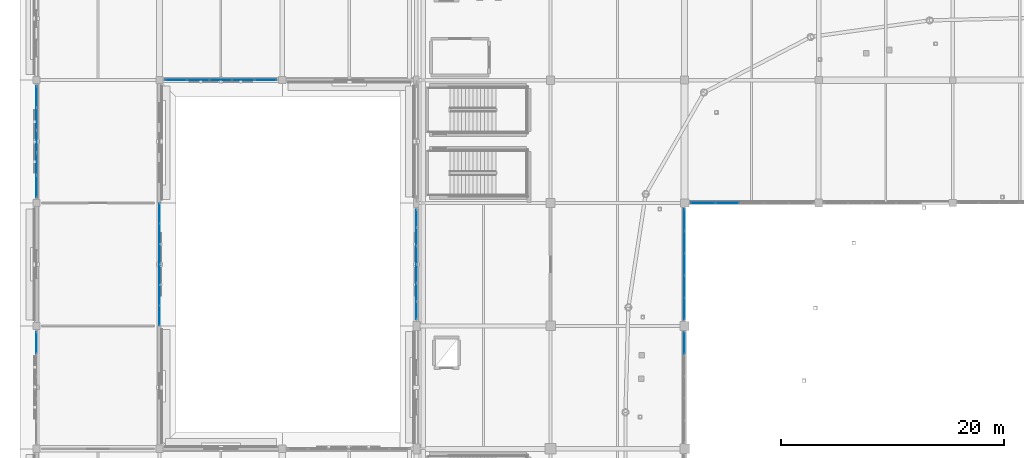
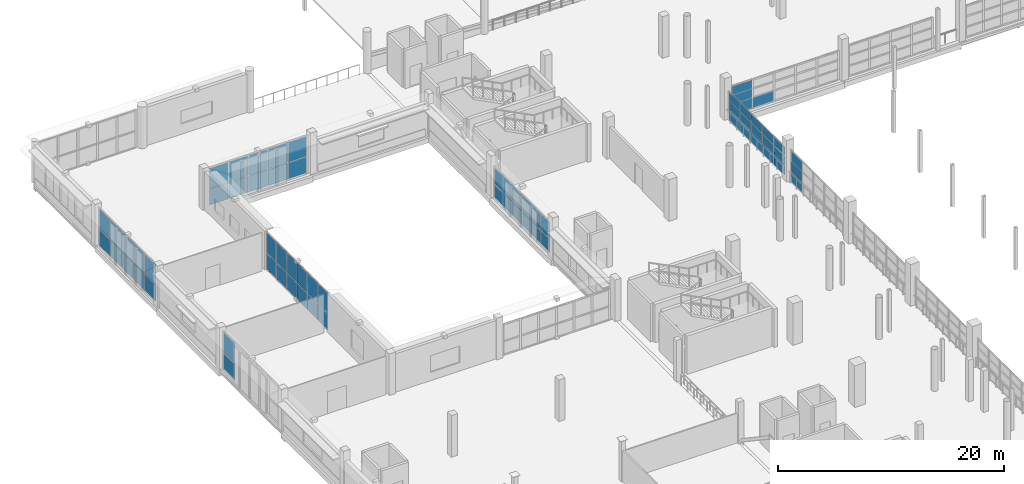
# One storey, part 69 of 118: 68 plates, 8 elements without a shape of their own.
"""IFC4 building model written with IfcOpenShell, lengths in metres."""

from ifc_helpers import new_model, si_unit, direction, frame, origin, origin_2d, place, context, subcontext, project, spatial, rectangle, extrude, material, layer, layer_set, type_object, element, aggregate, save


model = new_model("IFC4")

# Units and contexts
model_context = context("Model", 3, precision=1e-05, world=origin(), true_north=direction((0.0, 1.0)))
body_context = subcontext(model_context, "Body", "Model", "MODEL_VIEW")
ifc_project = project(units=[si_unit("LENGTHUNIT", "METRE"), si_unit("AREAUNIT", "SQUARE_METRE"), si_unit("VOLUMEUNIT", "CUBIC_METRE"), si_unit("PLANEANGLEUNIT", "RADIAN"), si_unit("MASSUNIT", "GRAM", prefix="KILO")], contexts=[model_context])

# Site, building, storey
site_placement = place(None, origin())
site = spatial("IfcSite", under=ifc_project, at=site_placement, CompositionType="ELEMENT")
building_placement = place(site_placement, origin())
building = spatial("IfcBuilding", under=site, at=building_placement, Name="Luwafu Chhajja Arena", CompositionType="ELEMENT")
storey_placement = place(building_placement, frame((0.0, 0.0, 10.199951171875)))
storey = spatial("IfcBuildingStorey", under=building, at=storey_placement, Name="L02", CompositionType="ELEMENT", Elevation=10.199951171875)

# Curtain wall, plates
ifc_material_1 = material(Name="Anodised bronze aluminium", Category="aluminium")
curtain_wall_type_1 = type_object("IfcCurtainWallType", Name="Media Ribbon Curtain Wall", PredefinedType="USERDEFINED", material=ifc_material_1)
curtain_wall_1_placement = place(storey_placement, origin())
curtain_wall_1 = element("IfcCurtainWall", 1, at=curtain_wall_1_placement, inside=storey, type_object=curtain_wall_type_1, Name="L02 Curtain Wall CWG-L02-H01_08", ObjectType="CURTAIN WALL", PredefinedType="USERDEFINED")
ifc_material_2 = material(Name="Solar-control laminated glass", Category="glass")
ifc_layer_1 = layer(ifc_material_2, 0.035888671875, Name="Solar-control laminated glass")
ifc_layer_set_1 = layer_set([ifc_layer_1], Name="Solar-control laminated glass")
plate_type_1 = type_object("IfcPlateType", Name="Acoustic Broadcast Double Glazed CW Panel 36", PredefinedType="CURTAIN_PANEL", material=ifc_layer_set_1)
plate_1_placement = place(storey_placement, frame((12.489501953125, 88.0, 0.10009765625), z_axis=(0.0, 0.0, 1.0), x_axis=(1.0, 0.0, 0.0)))
plate_1 = element("IfcPlate", 2, at=plate_1_placement, type_object=plate_type_1, Name="CW-03 panel 1.1", PredefinedType="CURTAIN_PANEL", context=body_context, shape_type="SweptSolid", body=[
    extrude(rectangle(XDim=1.908935546875, YDim=0.035888671875, at=origin_2d()), origin(), (0.0, 0.0, 1.0), 1.730224609375),
])
plate_2_placement = place(storey_placement, frame((12.489501953125, 88.0, 1.900390625), z_axis=(0.0, 0.0, 1.0), x_axis=(1.0, 0.0, 0.0)))
plate_2 = element("IfcPlate", 3, at=plate_2_placement, type_object=plate_type_1, Name="CW-03 panel 1.2", PredefinedType="CURTAIN_PANEL", context=body_context, shape_type="SweptSolid", body=[
    extrude(rectangle(XDim=1.908935546875, YDim=0.035888671875, at=origin_2d()), origin(), (0.0, 0.0, 1.0), 2.1748046875),
])
plate_3_placement = place(storey_placement, frame((14.486083984375, 88.0, 0.10009765625), z_axis=(0.0, 0.0, 1.0), x_axis=(1.0, 0.0, 0.0)))
plate_3 = element("IfcPlate", 4, at=plate_3_placement, type_object=plate_type_1, Name="CW-03 panel 2.1", PredefinedType="CURTAIN_PANEL", context=body_context, shape_type="SweptSolid", body=[
    extrude(rectangle(XDim=1.944091796875, YDim=0.035888671875, at=origin_2d()), origin(), (0.0, 0.0, 1.0), 1.730224609375),
])
plate_4_placement = place(storey_placement, frame((14.486083984375, 88.0, 1.900390625), z_axis=(0.0, 0.0, 1.0), x_axis=(1.0, 0.0, 0.0)))
plate_4 = element("IfcPlate", 5, at=plate_4_placement, type_object=plate_type_1, Name="CW-03 panel 2.2", PredefinedType="CURTAIN_PANEL", context=body_context, shape_type="SweptSolid", body=[
    extrude(rectangle(XDim=1.944091796875, YDim=0.035888671875, at=origin_2d()), origin(), (0.0, 0.0, 1.0), 2.1748046875),
])
plate_5_placement = place(storey_placement, frame((16.5, 88.0, 0.10009765625), z_axis=(0.0, 0.0, 1.0), x_axis=(1.0, 0.0, 0.0)))
plate_5 = element("IfcPlate", 6, at=plate_5_placement, type_object=plate_type_1, Name="CW-03 panel 3.1", PredefinedType="CURTAIN_PANEL", context=body_context, shape_type="SweptSolid", body=[
    extrude(rectangle(XDim=1.944091796875, YDim=0.035888671875, at=origin_2d()), origin(), (0.0, 0.0, 1.0), 1.730224609375),
])
plate_6_placement = place(storey_placement, frame((16.5, 88.0, 1.900390625), z_axis=(0.0, 0.0, 1.0), x_axis=(1.0, 0.0, 0.0)))
plate_6 = element("IfcPlate", 7, at=plate_6_placement, type_object=plate_type_1, Name="CW-03 panel 3.2", PredefinedType="CURTAIN_PANEL", context=body_context, shape_type="SweptSolid", body=[
    extrude(rectangle(XDim=1.944091796875, YDim=0.035888671875, at=origin_2d()), origin(), (0.0, 0.0, 1.0), 2.1748046875),
])
plate_7_placement = place(storey_placement, frame((18.513916015625, 88.0, 0.10009765625), z_axis=(0.0, 0.0, 1.0), x_axis=(1.0, 0.0, 0.0)))
plate_7 = element("IfcPlate", 8, at=plate_7_placement, type_object=plate_type_1, Name="CW-03 panel 4.1", PredefinedType="CURTAIN_PANEL", context=body_context, shape_type="SweptSolid", body=[
    extrude(rectangle(XDim=1.944091796875, YDim=0.035888671875, at=origin_2d()), origin(), (0.0, 0.0, 1.0), 1.730224609375),
])
plate_8_placement = place(storey_placement, frame((18.513916015625, 88.0, 1.900390625), z_axis=(0.0, 0.0, 1.0), x_axis=(1.0, 0.0, 0.0)))
plate_8 = element("IfcPlate", 9, at=plate_8_placement, type_object=plate_type_1, Name="CW-03 panel 4.2", PredefinedType="CURTAIN_PANEL", context=body_context, shape_type="SweptSolid", body=[
    extrude(rectangle(XDim=1.944091796875, YDim=0.035888671875, at=origin_2d()), origin(), (0.0, 0.0, 1.0), 2.1748046875),
])
plate_9_placement = place(storey_placement, frame((20.510498046875, 88.0, 0.10009765625), z_axis=(0.0, 0.0, 1.0), x_axis=(1.0, 0.0, 0.0)))
plate_9 = element("IfcPlate", 10, at=plate_9_placement, type_object=plate_type_1, Name="CW-03 panel 5.1", PredefinedType="CURTAIN_PANEL", context=body_context, shape_type="SweptSolid", body=[
    extrude(rectangle(XDim=1.908935546875, YDim=0.035888671875, at=origin_2d()), origin(), (0.0, 0.0, 1.0), 1.730224609375),
])
plate_10_placement = place(storey_placement, frame((20.510498046875, 88.0, 1.900390625), z_axis=(0.0, 0.0, 1.0), x_axis=(1.0, 0.0, 0.0)))
plate_10 = element("IfcPlate", 11, at=plate_10_placement, type_object=plate_type_1, Name="CW-03 panel 5.2", PredefinedType="CURTAIN_PANEL", context=body_context, shape_type="SweptSolid", body=[
    extrude(rectangle(XDim=1.908935546875, YDim=0.035888671875, at=origin_2d()), origin(), (0.0, 0.0, 1.0), 2.1748046875),
])
aggregate(curtain_wall_1, [plate_1, plate_2, plate_3, plate_4, plate_5, plate_6, plate_7, plate_8, plate_9, plate_10])

curtain_wall_type_2 = type_object("IfcCurtainWallType", Name="Warm-Up Gallery Curtain Wall", PredefinedType="USERDEFINED", material=ifc_material_1)
curtain_wall_2_placement = place(storey_placement, origin())
curtain_wall_2 = element("IfcCurtainWall", 12, at=curtain_wall_2_placement, inside=storey, type_object=curtain_wall_type_2, Name="L02 Curtain Wall CWG-L02-V00_07", ObjectType="CURTAIN WALL", PredefinedType="USERDEFINED")
ifc_layer_2 = layer(ifc_material_1, 0.050048828125, Name="Anodised bronze aluminium")
ifc_layer_set_2 = layer_set([ifc_layer_2], Name="Anodised bronze aluminium")
plate_type_2 = type_object("IfcPlateType", Name="Insulated Bronze Spandrel Panel 50", PredefinedType="CURTAIN_PANEL", material=ifc_layer_set_2)
plate_11_placement = place(storey_placement, frame((0.0, 78.489501953125, 0.10009765625), z_axis=(0.0, 0.0, 1.0), x_axis=(0.0, 1.0, 0.0)))
plate_11 = element("IfcPlate", 13, at=plate_11_placement, type_object=plate_type_2, Name="CW-08 panel 1.1", PredefinedType="CURTAIN_PANEL", context=body_context, shape_type="SweptSolid", body=[
    extrude(rectangle(XDim=1.908935546875, YDim=0.050048828125, at=origin_2d()), origin(), (0.0, 0.0, 1.0), 1.730224609375),
])
plate_12_placement = place(storey_placement, frame((0.0, 78.489501953125, 1.900390625), z_axis=(0.0, 0.0, 1.0), x_axis=(0.0, 1.0, 0.0)))
plate_12 = element("IfcPlate", 14, at=plate_12_placement, type_object=plate_type_2, Name="CW-08 panel 1.2", PredefinedType="CURTAIN_PANEL", context=body_context, shape_type="SweptSolid", body=[
    extrude(rectangle(XDim=1.908935546875, YDim=0.050048828125, at=origin_2d()), origin(), (0.0, 0.0, 1.0), 2.1748046875),
])
plate_13_placement = place(storey_placement, frame((0.0, 80.486083984375, 0.10009765625), z_axis=(0.0, 0.0, 1.0), x_axis=(0.0, 1.0, 0.0)))
plate_13 = element("IfcPlate", 15, at=plate_13_placement, type_object=plate_type_2, Name="CW-08 panel 2.1", PredefinedType="CURTAIN_PANEL", context=body_context, shape_type="SweptSolid", body=[
    extrude(rectangle(XDim=1.944091796875, YDim=0.050048828125, at=origin_2d()), origin(), (0.0, 0.0, 1.0), 1.730224609375),
])
plate_14_placement = place(storey_placement, frame((0.0, 80.486083984375, 1.900390625), z_axis=(0.0, 0.0, 1.0), x_axis=(0.0, 1.0, 0.0)))
plate_14 = element("IfcPlate", 16, at=plate_14_placement, type_object=plate_type_2, Name="CW-08 panel 2.2", PredefinedType="CURTAIN_PANEL", context=body_context, shape_type="SweptSolid", body=[
    extrude(rectangle(XDim=1.944091796875, YDim=0.050048828125, at=origin_2d()), origin(), (0.0, 0.0, 1.0), 2.1748046875),
])
plate_15_placement = place(storey_placement, frame((0.0, 82.5, 0.10009765625), z_axis=(0.0, 0.0, 1.0), x_axis=(0.0, 1.0, 0.0)))
plate_15 = element("IfcPlate", 17, at=plate_15_placement, type_object=plate_type_2, Name="CW-08 panel 3.1", PredefinedType="CURTAIN_PANEL", context=body_context, shape_type="SweptSolid", body=[
    extrude(rectangle(XDim=1.944091796875, YDim=0.050048828125, at=origin_2d()), origin(), (0.0, 0.0, 1.0), 1.730224609375),
])
plate_16_placement = place(storey_placement, frame((0.0, 82.5, 1.900390625), z_axis=(0.0, 0.0, 1.0), x_axis=(0.0, 1.0, 0.0)))
plate_16 = element("IfcPlate", 18, at=plate_16_placement, type_object=plate_type_2, Name="CW-08 panel 3.2", PredefinedType="CURTAIN_PANEL", context=body_context, shape_type="SweptSolid", body=[
    extrude(rectangle(XDim=1.944091796875, YDim=0.050048828125, at=origin_2d()), origin(), (0.0, 0.0, 1.0), 2.1748046875),
])
plate_17_placement = place(storey_placement, frame((0.0, 84.513916015625, 0.10009765625), z_axis=(0.0, 0.0, 1.0), x_axis=(0.0, 1.0, 0.0)))
plate_17 = element("IfcPlate", 19, at=plate_17_placement, type_object=plate_type_2, Name="CW-08 panel 4.1", PredefinedType="CURTAIN_PANEL", context=body_context, shape_type="SweptSolid", body=[
    extrude(rectangle(XDim=1.944091796875, YDim=0.050048828125, at=origin_2d()), origin(), (0.0, 0.0, 1.0), 1.730224609375),
])
plate_18_placement = place(storey_placement, frame((0.0, 84.513916015625, 1.900390625), z_axis=(0.0, 0.0, 1.0), x_axis=(0.0, 1.0, 0.0)))
plate_18 = element("IfcPlate", 20, at=plate_18_placement, type_object=plate_type_2, Name="CW-08 panel 4.2", PredefinedType="CURTAIN_PANEL", context=body_context, shape_type="SweptSolid", body=[
    extrude(rectangle(XDim=1.944091796875, YDim=0.050048828125, at=origin_2d()), origin(), (0.0, 0.0, 1.0), 2.1748046875),
])
plate_19_placement = place(storey_placement, frame((0.0, 86.510498046875, 0.10009765625), z_axis=(0.0, 0.0, 1.0), x_axis=(0.0, 1.0, 0.0)))
plate_19 = element("IfcPlate", 21, at=plate_19_placement, type_object=plate_type_2, Name="CW-08 panel 5.1", PredefinedType="CURTAIN_PANEL", context=body_context, shape_type="SweptSolid", body=[
    extrude(rectangle(XDim=1.908935546875, YDim=0.050048828125, at=origin_2d()), origin(), (0.0, 0.0, 1.0), 1.730224609375),
])
plate_20_placement = place(storey_placement, frame((0.0, 86.510498046875, 1.900390625), z_axis=(0.0, 0.0, 1.0), x_axis=(0.0, 1.0, 0.0)))
plate_20 = element("IfcPlate", 22, at=plate_20_placement, type_object=plate_type_2, Name="CW-08 panel 5.2", PredefinedType="CURTAIN_PANEL", context=body_context, shape_type="SweptSolid", body=[
    extrude(rectangle(XDim=1.908935546875, YDim=0.050048828125, at=origin_2d()), origin(), (0.0, 0.0, 1.0), 2.1748046875),
])
aggregate(curtain_wall_2, [plate_11, plate_12, plate_13, plate_14, plate_15, plate_16, plate_17, plate_18, plate_19, plate_20])

curtain_wall_type_3 = type_object("IfcCurtainWallType", Name="Pishtaq Monumental Portal Curtain Wall", PredefinedType="USERDEFINED", material=ifc_material_1)
curtain_wall_3_placement = place(storey_placement, origin())
curtain_wall_3 = element("IfcCurtainWall", 23, at=curtain_wall_3_placement, inside=storey, type_object=curtain_wall_type_3, Name="L02 Curtain Wall CWG-L02-V00_05", ObjectType="CURTAIN WALL", PredefinedType="USERDEFINED")
ifc_layer_3 = layer(ifc_material_2, 0.0419921875, Name="Solar-control laminated glass")
ifc_layer_set_3 = layer_set([ifc_layer_3], Name="Solar-control laminated glass")
plate_type_3 = type_object("IfcPlateType", Name="Pishtaq Tall Laminated Glazed Panel 42", PredefinedType="CURTAIN_PANEL", material=ifc_layer_set_3)
plate_21_placement = place(storey_placement, frame((0.0, 64.508056640625, 0.110107421875), z_axis=(0.0, 0.0, 1.0), x_axis=(0.0, 1.0, 0.0)))
plate_21 = element("IfcPlate", 24, at=plate_21_placement, type_object=plate_type_3, Name="CW-04 panel 5.1", PredefinedType="CURTAIN_PANEL", context=body_context, shape_type="SweptSolid", body=[
    extrude(rectangle(XDim=1.89404296875, YDim=0.0419921875, at=origin_2d()), origin(), (0.0, 0.0, 1.0), 1.71533203125),
])
plate_22_placement = place(storey_placement, frame((0.0, 64.508056640625, 1.9052734375), z_axis=(0.0, 0.0, 1.0), x_axis=(0.0, 1.0, 0.0)))
plate_22 = element("IfcPlate", 25, at=plate_22_placement, type_object=plate_type_3, Name="CW-04 panel 5.2", PredefinedType="CURTAIN_PANEL", context=body_context, shape_type="SweptSolid", body=[
    extrude(rectangle(XDim=1.89404296875, YDim=0.0419921875, at=origin_2d()), origin(), (0.0, 0.0, 1.0), 2.15966796875),
])
aggregate(curtain_wall_3, [plate_21, plate_22])

curtain_wall_type_4 = type_object("IfcCurtainWallType", Name="Community Hall Street Curtain Wall", PredefinedType="USERDEFINED", material=ifc_material_1)
curtain_wall_4_placement = place(storey_placement, origin())
curtain_wall_4 = element("IfcCurtainWall", 26, at=curtain_wall_4_placement, inside=storey, type_object=curtain_wall_type_4, Name="L02 Curtain Wall CWG-L02-V01_06", ObjectType="CURTAIN WALL", PredefinedType="USERDEFINED")
ifc_layer_4 = layer(ifc_material_2, 0.028076171875, Name="Solar-control laminated glass")
ifc_layer_set_4 = layer_set([ifc_layer_4], Name="Solar-control laminated glass")
plate_type_4 = type_object("IfcPlateType", Name="Solar Control Double Glazed CW Panel 28", PredefinedType="CURTAIN_PANEL", material=ifc_layer_set_4)
plate_23_placement = place(storey_placement, frame((11.0, 66.931640625, 0.08984375), z_axis=(0.0, 0.0, 1.0), x_axis=(0.0, 1.0, 0.0)))
plate_23 = element("IfcPlate", 27, at=plate_23_placement, type_object=plate_type_4, Name="CW-09 panel 1.1", PredefinedType="CURTAIN_PANEL", context=body_context, shape_type="SweptSolid", body=[
    extrude(rectangle(XDim=1.743408203125, YDim=0.028076171875, at=origin_2d()), origin(), (0.0, 0.0, 1.0), 1.745361328125),
])
plate_24_placement = place(storey_placement, frame((11.0, 66.931640625, 1.8955078125), z_axis=(0.0, 0.0, 1.0), x_axis=(0.0, 1.0, 0.0)))
plate_24 = element("IfcPlate", 28, at=plate_24_placement, type_object=plate_type_4, Name="CW-09 panel 1.2", PredefinedType="CURTAIN_PANEL", context=body_context, shape_type="SweptSolid", body=[
    extrude(rectangle(XDim=1.743408203125, YDim=0.028076171875, at=origin_2d()), origin(), (0.0, 0.0, 1.0), 2.189697265625),
])
plate_25_placement = place(storey_placement, frame((11.0, 68.75, 0.08984375), z_axis=(0.0, 0.0, 1.0), x_axis=(0.0, 1.0, 0.0)))
plate_25 = element("IfcPlate", 29, at=plate_25_placement, type_object=plate_type_4, Name="CW-09 panel 2.1", PredefinedType="CURTAIN_PANEL", context=body_context, shape_type="SweptSolid", body=[
    extrude(rectangle(XDim=1.7734375, YDim=0.028076171875, at=origin_2d()), origin(), (0.0, 0.0, 1.0), 1.745361328125),
])
plate_26_placement = place(storey_placement, frame((11.0, 68.75, 1.8955078125), z_axis=(0.0, 0.0, 1.0), x_axis=(0.0, 1.0, 0.0)))
plate_26 = element("IfcPlate", 30, at=plate_26_placement, type_object=plate_type_4, Name="CW-09 panel 2.2", PredefinedType="CURTAIN_PANEL", context=body_context, shape_type="SweptSolid", body=[
    extrude(rectangle(XDim=1.7734375, YDim=0.028076171875, at=origin_2d()), origin(), (0.0, 0.0, 1.0), 2.189697265625),
])
plate_27_placement = place(storey_placement, frame((11.0, 70.583251953125, 0.08984375), z_axis=(0.0, 0.0, 1.0), x_axis=(0.0, 1.0, 0.0)))
plate_27 = element("IfcPlate", 31, at=plate_27_placement, type_object=plate_type_4, Name="CW-09 panel 3.1", PredefinedType="CURTAIN_PANEL", context=body_context, shape_type="SweptSolid", body=[
    extrude(rectangle(XDim=1.7734375, YDim=0.028076171875, at=origin_2d()), origin(), (0.0, 0.0, 1.0), 1.745361328125),
])
plate_28_placement = place(storey_placement, frame((11.0, 70.583251953125, 1.8955078125), z_axis=(0.0, 0.0, 1.0), x_axis=(0.0, 1.0, 0.0)))
plate_28 = element("IfcPlate", 32, at=plate_28_placement, type_object=plate_type_4, Name="CW-09 panel 3.2", PredefinedType="CURTAIN_PANEL", context=body_context, shape_type="SweptSolid", body=[
    extrude(rectangle(XDim=1.7734375, YDim=0.028076171875, at=origin_2d()), origin(), (0.0, 0.0, 1.0), 2.189697265625),
])
plate_29_placement = place(storey_placement, frame((11.0, 72.416748046875, 0.08984375), z_axis=(0.0, 0.0, 1.0), x_axis=(0.0, 1.0, 0.0)))
plate_29 = element("IfcPlate", 33, at=plate_29_placement, type_object=plate_type_4, Name="CW-09 panel 4.1", PredefinedType="CURTAIN_PANEL", context=body_context, shape_type="SweptSolid", body=[
    extrude(rectangle(XDim=1.7734375, YDim=0.028076171875, at=origin_2d()), origin(), (0.0, 0.0, 1.0), 1.745361328125),
])
plate_30_placement = place(storey_placement, frame((11.0, 72.416748046875, 1.8955078125), z_axis=(0.0, 0.0, 1.0), x_axis=(0.0, 1.0, 0.0)))
plate_30 = element("IfcPlate", 34, at=plate_30_placement, type_object=plate_type_4, Name="CW-09 panel 4.2", PredefinedType="CURTAIN_PANEL", context=body_context, shape_type="SweptSolid", body=[
    extrude(rectangle(XDim=1.7734375, YDim=0.028076171875, at=origin_2d()), origin(), (0.0, 0.0, 1.0), 2.189697265625),
])
plate_31_placement = place(storey_placement, frame((11.0, 74.25, 0.08984375), z_axis=(0.0, 0.0, 1.0), x_axis=(0.0, 1.0, 0.0)))
plate_31 = element("IfcPlate", 35, at=plate_31_placement, type_object=plate_type_4, Name="CW-09 panel 5.1", PredefinedType="CURTAIN_PANEL", context=body_context, shape_type="SweptSolid", body=[
    extrude(rectangle(XDim=1.7734375, YDim=0.028076171875, at=origin_2d()), origin(), (0.0, 0.0, 1.0), 1.745361328125),
])
plate_32_placement = place(storey_placement, frame((11.0, 74.25, 1.8955078125), z_axis=(0.0, 0.0, 1.0), x_axis=(0.0, 1.0, 0.0)))
plate_32 = element("IfcPlate", 36, at=plate_32_placement, type_object=plate_type_4, Name="CW-09 panel 5.2", PredefinedType="CURTAIN_PANEL", context=body_context, shape_type="SweptSolid", body=[
    extrude(rectangle(XDim=1.7734375, YDim=0.028076171875, at=origin_2d()), origin(), (0.0, 0.0, 1.0), 2.189697265625),
])
plate_33_placement = place(storey_placement, frame((11.0, 76.068359375, 0.08984375), z_axis=(0.0, 0.0, 1.0), x_axis=(0.0, 1.0, 0.0)))
plate_33 = element("IfcPlate", 37, at=plate_33_placement, type_object=plate_type_4, Name="CW-09 panel 6.1", PredefinedType="CURTAIN_PANEL", context=body_context, shape_type="SweptSolid", body=[
    extrude(rectangle(XDim=1.743408203125, YDim=0.028076171875, at=origin_2d()), origin(), (0.0, 0.0, 1.0), 1.745361328125),
])
plate_34_placement = place(storey_placement, frame((11.0, 76.068359375, 1.8955078125), z_axis=(0.0, 0.0, 1.0), x_axis=(0.0, 1.0, 0.0)))
plate_34 = element("IfcPlate", 38, at=plate_34_placement, type_object=plate_type_4, Name="CW-09 panel 6.2", PredefinedType="CURTAIN_PANEL", context=body_context, shape_type="SweptSolid", body=[
    extrude(rectangle(XDim=1.743408203125, YDim=0.028076171875, at=origin_2d()), origin(), (0.0, 0.0, 1.0), 2.189697265625),
])
aggregate(curtain_wall_4, [plate_23, plate_24, plate_25, plate_26, plate_27, plate_28, plate_29, plate_30, plate_31, plate_32, plate_33, plate_34])

curtain_wall_type_5 = type_object("IfcCurtainWallType", Name="Foyer Luwafu Street Curtain Wall", PredefinedType="USERDEFINED", material=ifc_material_1)
curtain_wall_5_placement = place(storey_placement, origin())
curtain_wall_5 = element("IfcCurtainWall", 39, at=curtain_wall_5_placement, inside=storey, type_object=curtain_wall_type_5, Name="L02 Curtain Wall CWG-L02-V03_06", ObjectType="CURTAIN WALL", PredefinedType="USERDEFINED")
plate_35_placement = place(storey_placement, frame((34.0, 67.3828125, 0.094970703125), z_axis=(0.0, 0.0, 1.0), x_axis=(0.0, 1.0, 0.0)))
plate_35 = element("IfcPlate", 40, at=plate_35_placement, type_object=plate_type_4, Name="CW-05 panel 1.1", PredefinedType="CURTAIN_PANEL", context=body_context, shape_type="SweptSolid", body=[
    extrude(rectangle(XDim=1.555908203125, YDim=0.028076171875, at=origin_2d()), origin(), (0.0, 0.0, 1.0), 1.40478515625),
])
plate_36_placement = place(storey_placement, frame((34.0, 67.3828125, 1.56494140625), z_axis=(0.0, 0.0, 1.0), x_axis=(0.0, 1.0, 0.0)))
plate_36 = element("IfcPlate", 41, at=plate_36_placement, type_object=plate_type_4, Name="CW-05 panel 1.2", PredefinedType="CURTAIN_PANEL", context=body_context, shape_type="SweptSolid", body=[
    extrude(rectangle(XDim=1.555908203125, YDim=0.028076171875, at=origin_2d()), origin(), (0.0, 0.0, 1.0), 1.775146484375),
])
plate_37_placement = place(storey_placement, frame((34.0, 69.02001953125, 0.094970703125), z_axis=(0.0, 0.0, 1.0), x_axis=(0.0, 1.0, 0.0)))
plate_37 = element("IfcPlate", 42, at=plate_37_placement, type_object=plate_type_4, Name="CW-05 panel 2.1", PredefinedType="CURTAIN_PANEL", context=body_context, shape_type="SweptSolid", body=[
    extrude(rectangle(XDim=1.58837890625, YDim=0.028076171875, at=origin_2d()), origin(), (0.0, 0.0, 1.0), 1.40478515625),
])
plate_38_placement = place(storey_placement, frame((34.0, 69.02001953125, 1.56494140625), z_axis=(0.0, 0.0, 1.0), x_axis=(0.0, 1.0, 0.0)))
plate_38 = element("IfcPlate", 43, at=plate_38_placement, type_object=plate_type_4, Name="CW-05 panel 2.2", PredefinedType="CURTAIN_PANEL", context=body_context, shape_type="SweptSolid", body=[
    extrude(rectangle(XDim=1.58837890625, YDim=0.028076171875, at=origin_2d()), origin(), (0.0, 0.0, 1.0), 1.775146484375),
])
plate_39_placement = place(storey_placement, frame((34.0, 70.67333984375, 0.094970703125), z_axis=(0.0, 0.0, 1.0), x_axis=(0.0, 1.0, 0.0)))
plate_39 = element("IfcPlate", 44, at=plate_39_placement, type_object=plate_type_4, Name="CW-05 panel 3.1", PredefinedType="CURTAIN_PANEL", context=body_context, shape_type="SweptSolid", body=[
    extrude(rectangle(XDim=1.58837890625, YDim=0.028076171875, at=origin_2d()), origin(), (0.0, 0.0, 1.0), 1.40478515625),
])
plate_40_placement = place(storey_placement, frame((34.0, 70.67333984375, 1.56494140625), z_axis=(0.0, 0.0, 1.0), x_axis=(0.0, 1.0, 0.0)))
plate_40 = element("IfcPlate", 45, at=plate_40_placement, type_object=plate_type_4, Name="CW-05 panel 3.2", PredefinedType="CURTAIN_PANEL", context=body_context, shape_type="SweptSolid", body=[
    extrude(rectangle(XDim=1.58837890625, YDim=0.028076171875, at=origin_2d()), origin(), (0.0, 0.0, 1.0), 1.775146484375),
])
plate_41_placement = place(storey_placement, frame((34.0, 72.32666015625, 0.094970703125), z_axis=(0.0, 0.0, 1.0), x_axis=(0.0, 1.0, 0.0)))
plate_41 = element("IfcPlate", 46, at=plate_41_placement, type_object=plate_type_4, Name="CW-05 panel 4.1", PredefinedType="CURTAIN_PANEL", context=body_context, shape_type="SweptSolid", body=[
    extrude(rectangle(XDim=1.58837890625, YDim=0.028076171875, at=origin_2d()), origin(), (0.0, 0.0, 1.0), 1.40478515625),
])
plate_42_placement = place(storey_placement, frame((34.0, 72.32666015625, 1.56494140625), z_axis=(0.0, 0.0, 1.0), x_axis=(0.0, 1.0, 0.0)))
plate_42 = element("IfcPlate", 47, at=plate_42_placement, type_object=plate_type_4, Name="CW-05 panel 4.2", PredefinedType="CURTAIN_PANEL", context=body_context, shape_type="SweptSolid", body=[
    extrude(rectangle(XDim=1.58837890625, YDim=0.028076171875, at=origin_2d()), origin(), (0.0, 0.0, 1.0), 1.775146484375),
])
plate_43_placement = place(storey_placement, frame((34.0, 73.97998046875, 0.094970703125), z_axis=(0.0, 0.0, 1.0), x_axis=(0.0, 1.0, 0.0)))
plate_43 = element("IfcPlate", 48, at=plate_43_placement, type_object=plate_type_4, Name="CW-05 panel 5.1", PredefinedType="CURTAIN_PANEL", context=body_context, shape_type="SweptSolid", body=[
    extrude(rectangle(XDim=1.58837890625, YDim=0.028076171875, at=origin_2d()), origin(), (0.0, 0.0, 1.0), 1.40478515625),
])
plate_44_placement = place(storey_placement, frame((34.0, 73.97998046875, 1.56494140625), z_axis=(0.0, 0.0, 1.0), x_axis=(0.0, 1.0, 0.0)))
plate_44 = element("IfcPlate", 49, at=plate_44_placement, type_object=plate_type_4, Name="CW-05 panel 5.2", PredefinedType="CURTAIN_PANEL", context=body_context, shape_type="SweptSolid", body=[
    extrude(rectangle(XDim=1.58837890625, YDim=0.028076171875, at=origin_2d()), origin(), (0.0, 0.0, 1.0), 1.775146484375),
])
plate_45_placement = place(storey_placement, frame((34.0, 75.6171875, 0.094970703125), z_axis=(0.0, 0.0, 1.0), x_axis=(0.0, 1.0, 0.0)))
plate_45 = element("IfcPlate", 50, at=plate_45_placement, type_object=plate_type_4, Name="CW-05 panel 6.1", PredefinedType="CURTAIN_PANEL", context=body_context, shape_type="SweptSolid", body=[
    extrude(rectangle(XDim=1.555908203125, YDim=0.028076171875, at=origin_2d()), origin(), (0.0, 0.0, 1.0), 1.40478515625),
])
plate_46_placement = place(storey_placement, frame((34.0, 75.6171875, 1.56494140625), z_axis=(0.0, 0.0, 1.0), x_axis=(0.0, 1.0, 0.0)))
plate_46 = element("IfcPlate", 51, at=plate_46_placement, type_object=plate_type_4, Name="CW-05 panel 6.2", PredefinedType="CURTAIN_PANEL", context=body_context, shape_type="SweptSolid", body=[
    extrude(rectangle(XDim=1.555908203125, YDim=0.028076171875, at=origin_2d()), origin(), (0.0, 0.0, 1.0), 1.775146484375),
])
aggregate(curtain_wall_5, [plate_35, plate_36, plate_37, plate_38, plate_39, plate_40, plate_41, plate_42, plate_43, plate_44, plate_45, plate_46])

curtain_wall_type_6 = type_object("IfcCurtainWallType", Name="Hospitality Ring Curtain Wall", PredefinedType="USERDEFINED", material=ifc_material_1)
curtain_wall_6_placement = place(storey_placement, origin())
curtain_wall_6 = element("IfcCurtainWall", 52, at=curtain_wall_6_placement, inside=storey, type_object=curtain_wall_type_6, Name="L02 Bowl Viewing Curtain Wall CWR-L02-08", ObjectType="CURTAIN WALL", PredefinedType="USERDEFINED")
plate_47_placement = place(storey_placement, frame((59.630859375, 77.0, 0.06494140625), z_axis=(0.0, 0.0, 1.0), x_axis=(1.0, 0.0, 0.0)))
plate_47 = element("IfcPlate", 53, at=plate_47_placement, type_object=plate_type_4, Name="CW-02 panel 1.1", PredefinedType="CURTAIN_PANEL", context=body_context, shape_type="SweptSolid", body=[
    extrude(rectangle(XDim=2.1015625, YDim=0.028076171875, at=origin_2d()), origin(), (0.0, 0.0, 1.0), 1.052490234375),
])
plate_48_placement = place(storey_placement, frame((59.630859375, 77.0, 1.1826171875), z_axis=(0.0, 0.0, 1.0), x_axis=(1.0, 0.0, 0.0)))
plate_48 = element("IfcPlate", 54, at=plate_48_placement, type_object=plate_type_4, Name="CW-02 panel 1.2", PredefinedType="CURTAIN_PANEL", context=body_context, shape_type="SweptSolid", body=[
    extrude(rectangle(XDim=2.1015625, YDim=0.028076171875, at=origin_2d()), origin(), (0.0, 0.0, 1.0), 0.929931640625),
])
plate_49_placement = place(storey_placement, frame((59.630859375, 77.0, 2.177490234375), z_axis=(0.0, 0.0, 1.0), x_axis=(1.0, 0.0, 0.0)))
plate_49 = element("IfcPlate", 55, at=plate_49_placement, type_object=plate_type_4, Name="CW-02 panel 1.3", PredefinedType="CURTAIN_PANEL", context=body_context, shape_type="SweptSolid", body=[
    extrude(rectangle(XDim=2.1015625, YDim=0.028076171875, at=origin_2d()), origin(), (0.0, 0.0, 1.0), 0.8974609375),
])
plate_50_placement = place(storey_placement, frame((61.8134765625, 77.0, 0.06494140625), z_axis=(0.0, 0.0, 1.0), x_axis=(1.0, 0.0, 0.0)))
plate_50 = element("IfcPlate", 56, at=plate_50_placement, type_object=plate_type_4, Name="CW-02 panel 2.1", PredefinedType="CURTAIN_PANEL", context=body_context, shape_type="SweptSolid", body=[
    extrude(rectangle(XDim=2.134033203125, YDim=0.028076171875, at=origin_2d()), origin(), (0.0, 0.0, 1.0), 1.052490234375),
])
aggregate(curtain_wall_6, [plate_47, plate_48, plate_49, plate_50])

curtain_wall_7_placement = place(storey_placement, origin())
curtain_wall_7 = element("IfcCurtainWall", 57, at=curtain_wall_7_placement, inside=storey, type_object=curtain_wall_type_6, Name="L02 Bowl Viewing Curtain Wall CWR-L02-18", ObjectType="CURTAIN WALL", PredefinedType="USERDEFINED")
plate_51_placement = place(storey_placement, frame((58.0, 64.454345703125, 0.06494140625), z_axis=(0.0, 0.0, 1.0), x_axis=(0.0, 1.0, 0.0)))
plate_51 = element("IfcPlate", 58, at=plate_51_placement, type_object=plate_type_4, Name="CW-02 panel 5.1", PredefinedType="CURTAIN_PANEL", context=body_context, shape_type="SweptSolid", body=[
    extrude(rectangle(XDim=1.881591796875, YDim=0.028076171875, at=origin_2d()), origin(), (0.0, 0.0, 1.0), 1.052490234375),
])
plate_52_placement = place(storey_placement, frame((58.0, 64.454345703125, 1.1826171875), z_axis=(0.0, 0.0, 1.0), x_axis=(0.0, 1.0, 0.0)))
plate_52 = element("IfcPlate", 59, at=plate_52_placement, type_object=plate_type_4, Name="CW-02 panel 5.2", PredefinedType="CURTAIN_PANEL", context=body_context, shape_type="SweptSolid", body=[
    extrude(rectangle(XDim=1.881591796875, YDim=0.028076171875, at=origin_2d()), origin(), (0.0, 0.0, 1.0), 1.094970703125),
])
plate_53_placement = place(storey_placement, frame((58.0, 64.454345703125, 2.34228515625), z_axis=(0.0, 0.0, 1.0), x_axis=(0.0, 1.0, 0.0)))
plate_53 = element("IfcPlate", 60, at=plate_53_placement, type_object=plate_type_4, Name="CW-02 panel 5.3", PredefinedType="CURTAIN_PANEL", context=body_context, shape_type="SweptSolid", body=[
    extrude(rectangle(XDim=1.881591796875, YDim=0.028076171875, at=origin_2d()), origin(), (0.0, 0.0, 1.0), 1.0625),
])
aggregate(curtain_wall_7, [plate_51, plate_52, plate_53])

curtain_wall_8_placement = place(storey_placement, origin())
curtain_wall_8 = element("IfcCurtainWall", 61, at=curtain_wall_8_placement, inside=storey, type_object=curtain_wall_type_6, Name="L02 Bowl Viewing Curtain Wall CWR-L02-19", ObjectType="CURTAIN WALL", PredefinedType="USERDEFINED")
plate_54_placement = place(storey_placement, frame((58.0, 67.55078125, 0.06494140625), z_axis=(0.0, 0.0, 1.0), x_axis=(0.0, 1.0, 0.0)))
plate_54 = element("IfcPlate", 62, at=plate_54_placement, type_object=plate_type_4, Name="CW-02 panel 1.1", PredefinedType="CURTAIN_PANEL", context=body_context, shape_type="SweptSolid", body=[
    extrude(rectangle(XDim=1.8916015625, YDim=0.028076171875, at=origin_2d()), origin(), (0.0, 0.0, 1.0), 1.052490234375),
])
plate_55_placement = place(storey_placement, frame((58.0, 67.55078125, 1.1826171875), z_axis=(0.0, 0.0, 1.0), x_axis=(0.0, 1.0, 0.0)))
plate_55 = element("IfcPlate", 63, at=plate_55_placement, type_object=plate_type_4, Name="CW-02 panel 1.2", PredefinedType="CURTAIN_PANEL", context=body_context, shape_type="SweptSolid", body=[
    extrude(rectangle(XDim=1.8916015625, YDim=0.028076171875, at=origin_2d()), origin(), (0.0, 0.0, 1.0), 0.929931640625),
])
plate_56_placement = place(storey_placement, frame((58.0, 67.55078125, 2.177490234375), z_axis=(0.0, 0.0, 1.0), x_axis=(0.0, 1.0, 0.0)))
plate_56 = element("IfcPlate", 64, at=plate_56_placement, type_object=plate_type_4, Name="CW-02 panel 1.3", PredefinedType="CURTAIN_PANEL", context=body_context, shape_type="SweptSolid", body=[
    extrude(rectangle(XDim=1.8916015625, YDim=0.028076171875, at=origin_2d()), origin(), (0.0, 0.0, 1.0), 0.8974609375),
])
plate_57_placement = place(storey_placement, frame((58.0, 69.5234375, 0.06494140625), z_axis=(0.0, 0.0, 1.0), x_axis=(0.0, 1.0, 0.0)))
plate_57 = element("IfcPlate", 65, at=plate_57_placement, type_object=plate_type_4, Name="CW-02 panel 2.1", PredefinedType="CURTAIN_PANEL", context=body_context, shape_type="SweptSolid", body=[
    extrude(rectangle(XDim=1.924072265625, YDim=0.028076171875, at=origin_2d()), origin(), (0.0, 0.0, 1.0), 1.052490234375),
])
plate_58_placement = place(storey_placement, frame((58.0, 69.5234375, 1.1826171875), z_axis=(0.0, 0.0, 1.0), x_axis=(0.0, 1.0, 0.0)))
plate_58 = element("IfcPlate", 66, at=plate_58_placement, type_object=plate_type_4, Name="CW-02 panel 2.2", PredefinedType="CURTAIN_PANEL", context=body_context, shape_type="SweptSolid", body=[
    extrude(rectangle(XDim=1.924072265625, YDim=0.028076171875, at=origin_2d()), origin(), (0.0, 0.0, 1.0), 0.929931640625),
])
plate_59_placement = place(storey_placement, frame((58.0, 69.5234375, 2.177490234375), z_axis=(0.0, 0.0, 1.0), x_axis=(0.0, 1.0, 0.0)))
plate_59 = element("IfcPlate", 67, at=plate_59_placement, type_object=plate_type_4, Name="CW-02 panel 2.3", PredefinedType="CURTAIN_PANEL", context=body_context, shape_type="SweptSolid", body=[
    extrude(rectangle(XDim=1.924072265625, YDim=0.028076171875, at=origin_2d()), origin(), (0.0, 0.0, 1.0), 0.8974609375),
])
plate_60_placement = place(storey_placement, frame((58.0, 71.512451171875, 0.06494140625), z_axis=(0.0, 0.0, 1.0), x_axis=(0.0, 1.0, 0.0)))
plate_60 = element("IfcPlate", 68, at=plate_60_placement, type_object=plate_type_4, Name="CW-02 panel 3.1", PredefinedType="CURTAIN_PANEL", context=body_context, shape_type="SweptSolid", body=[
    extrude(rectangle(XDim=1.924072265625, YDim=0.028076171875, at=origin_2d()), origin(), (0.0, 0.0, 1.0), 1.052490234375),
])
plate_61_placement = place(storey_placement, frame((58.0, 71.512451171875, 1.1826171875), z_axis=(0.0, 0.0, 1.0), x_axis=(0.0, 1.0, 0.0)))
plate_61 = element("IfcPlate", 69, at=plate_61_placement, type_object=plate_type_4, Name="CW-02 panel 3.2", PredefinedType="CURTAIN_PANEL", context=body_context, shape_type="SweptSolid", body=[
    extrude(rectangle(XDim=1.924072265625, YDim=0.028076171875, at=origin_2d()), origin(), (0.0, 0.0, 1.0), 0.929931640625),
])
plate_62_placement = place(storey_placement, frame((58.0, 71.512451171875, 2.177490234375), z_axis=(0.0, 0.0, 1.0), x_axis=(0.0, 1.0, 0.0)))
plate_62 = element("IfcPlate", 70, at=plate_62_placement, type_object=plate_type_4, Name="CW-02 panel 3.3", PredefinedType="CURTAIN_PANEL", context=body_context, shape_type="SweptSolid", body=[
    extrude(rectangle(XDim=1.924072265625, YDim=0.028076171875, at=origin_2d()), origin(), (0.0, 0.0, 1.0), 0.8974609375),
])
plate_63_placement = place(storey_placement, frame((58.0, 73.50146484375, 0.06494140625), z_axis=(0.0, 0.0, 1.0), x_axis=(0.0, 1.0, 0.0)))
plate_63 = element("IfcPlate", 71, at=plate_63_placement, type_object=plate_type_4, Name="CW-02 panel 4.1", PredefinedType="CURTAIN_PANEL", context=body_context, shape_type="SweptSolid", body=[
    extrude(rectangle(XDim=1.924072265625, YDim=0.028076171875, at=origin_2d()), origin(), (0.0, 0.0, 1.0), 1.052490234375),
])
plate_64_placement = place(storey_placement, frame((58.0, 73.50146484375, 1.1826171875), z_axis=(0.0, 0.0, 1.0), x_axis=(0.0, 1.0, 0.0)))
plate_64 = element("IfcPlate", 72, at=plate_64_placement, type_object=plate_type_4, Name="CW-02 panel 4.2", PredefinedType="CURTAIN_PANEL", context=body_context, shape_type="SweptSolid", body=[
    extrude(rectangle(XDim=1.924072265625, YDim=0.028076171875, at=origin_2d()), origin(), (0.0, 0.0, 1.0), 0.929931640625),
])
plate_65_placement = place(storey_placement, frame((58.0, 73.50146484375, 2.177490234375), z_axis=(0.0, 0.0, 1.0), x_axis=(0.0, 1.0, 0.0)))
plate_65 = element("IfcPlate", 73, at=plate_65_placement, type_object=plate_type_4, Name="CW-02 panel 4.3", PredefinedType="CURTAIN_PANEL", context=body_context, shape_type="SweptSolid", body=[
    extrude(rectangle(XDim=1.924072265625, YDim=0.028076171875, at=origin_2d()), origin(), (0.0, 0.0, 1.0), 0.8974609375),
])
plate_66_placement = place(storey_placement, frame((58.0, 75.474365234375, 0.06494140625), z_axis=(0.0, 0.0, 1.0), x_axis=(0.0, 1.0, 0.0)))
plate_66 = element("IfcPlate", 74, at=plate_66_placement, type_object=plate_type_4, Name="CW-02 panel 5.1", PredefinedType="CURTAIN_PANEL", context=body_context, shape_type="SweptSolid", body=[
    extrude(rectangle(XDim=1.8916015625, YDim=0.028076171875, at=origin_2d()), origin(), (0.0, 0.0, 1.0), 1.052490234375),
])
plate_67_placement = place(storey_placement, frame((58.0, 75.474365234375, 1.1826171875), z_axis=(0.0, 0.0, 1.0), x_axis=(0.0, 1.0, 0.0)))
plate_67 = element("IfcPlate", 75, at=plate_67_placement, type_object=plate_type_4, Name="CW-02 panel 5.2", PredefinedType="CURTAIN_PANEL", context=body_context, shape_type="SweptSolid", body=[
    extrude(rectangle(XDim=1.8916015625, YDim=0.028076171875, at=origin_2d()), origin(), (0.0, 0.0, 1.0), 0.929931640625),
])
plate_68_placement = place(storey_placement, frame((58.0, 75.474365234375, 2.177490234375), z_axis=(0.0, 0.0, 1.0), x_axis=(0.0, 1.0, 0.0)))
plate_68 = element("IfcPlate", 76, at=plate_68_placement, type_object=plate_type_4, Name="CW-02 panel 5.3", PredefinedType="CURTAIN_PANEL", context=body_context, shape_type="SweptSolid", body=[
    extrude(rectangle(XDim=1.8916015625, YDim=0.028076171875, at=origin_2d()), origin(), (0.0, 0.0, 1.0), 0.8974609375),
])
aggregate(curtain_wall_8, [plate_54, plate_55, plate_56, plate_57, plate_58, plate_59, plate_60, plate_61, plate_62, plate_63, plate_64, plate_65, plate_66, plate_67, plate_68])

save(model, "model.ifc")
